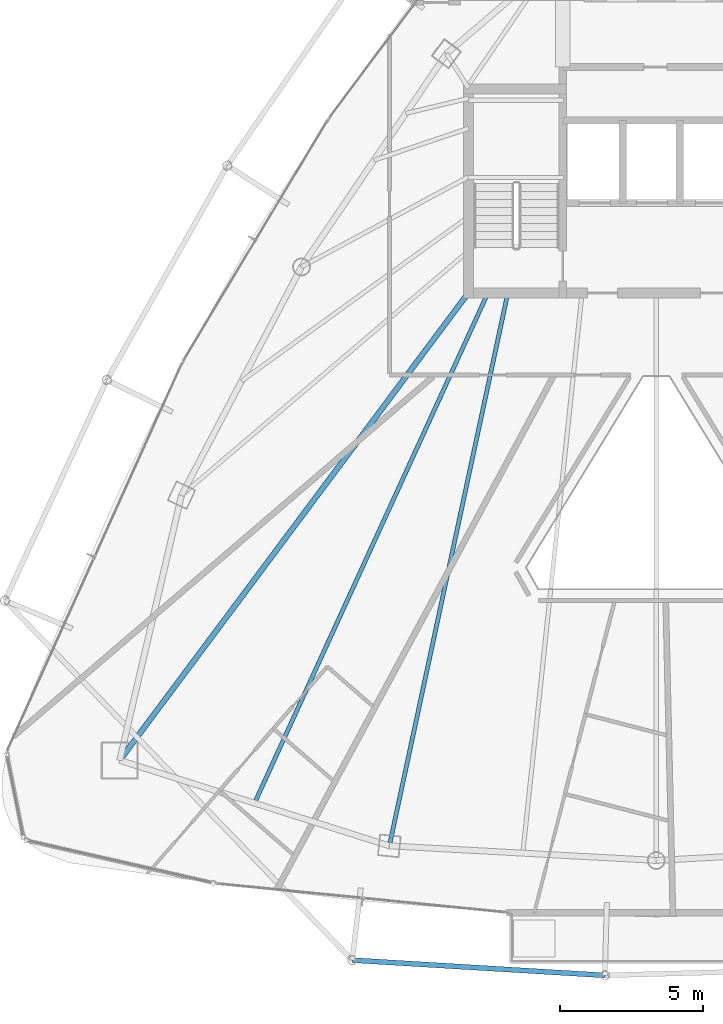
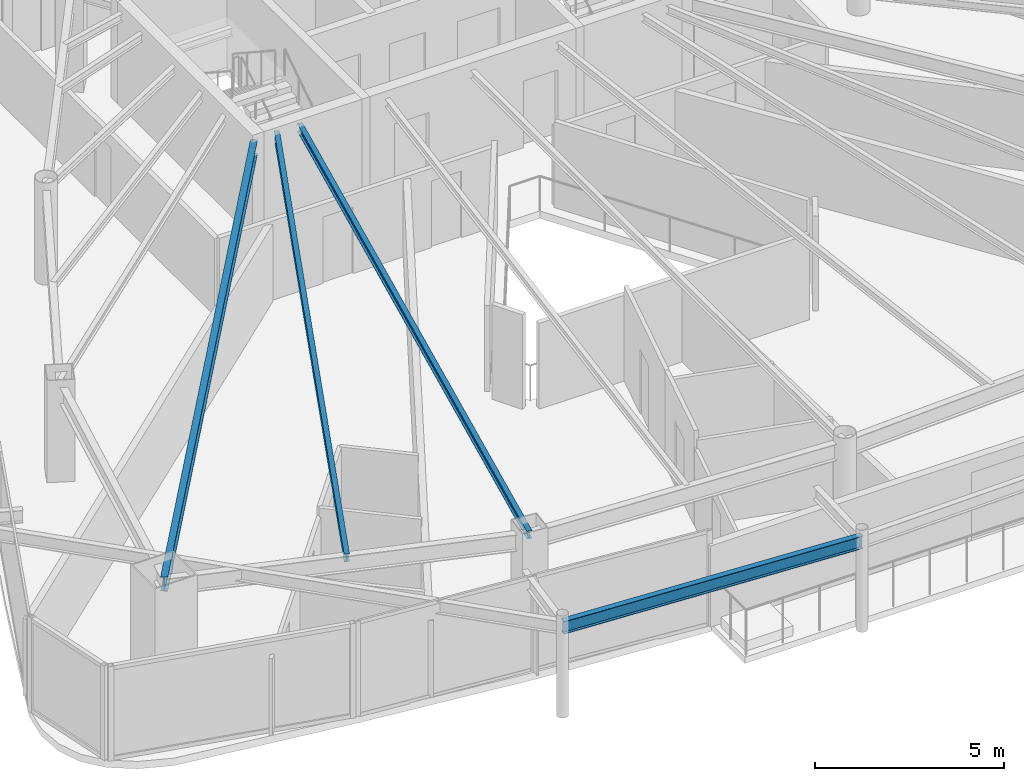
# One storey, part 6 of 30: 4 beams.
"""IFC4 building model written with IfcOpenShell, lengths in metres."""

from ifc_helpers import new_model, si_unit, direction, frame, origin, origin_2d, place, context, subcontext, project, spatial, i_section, extrude, material, material_profile, profile_set, type_object, element, save


model = new_model("IFC4")

# Units and contexts
model_context = context("Model", 3, precision=1e-05, world=origin(), true_north=direction((0.0, 1.0)))
body_context = subcontext(model_context, "Body", "Model", "MODEL_VIEW")
ifc_project = project(units=[si_unit("LENGTHUNIT", "METRE"), si_unit("AREAUNIT", "SQUARE_METRE"), si_unit("VOLUMEUNIT", "CUBIC_METRE"), si_unit("PLANEANGLEUNIT", "RADIAN"), si_unit("MASSUNIT", "GRAM", prefix="KILO")], contexts=[model_context])

# Site, building, storey
site_placement = place(None, origin())
site = spatial("IfcSite", under=ifc_project, at=site_placement, CompositionType="ELEMENT")
building_placement = place(site_placement, origin())
building = spatial("IfcBuilding", under=site, at=building_placement, Name="Orvanel Arch Residences", CompositionType="ELEMENT")
storey_placement = place(building_placement, frame((0.0, 0.0, 226.10009765625)))
storey = spatial("IfcBuildingStorey", under=building, at=storey_placement, Name="L64", CompositionType="ELEMENT", Elevation=226.10009765625)

# Beams
ifc_material = material(Name="Structural steel AS/NZS 3679.1 Grade 300 (300 MPa)", Category="steel")
ifc_material_profile_1 = material_profile(ifc_material, i_section(OverallWidth=0.19091796875, OverallDepth=0.4599609375, WebThickness=0.010009765625, FlangeThickness=0.01611328125, at=origin_2d()), Name="460UB82.1")
ifc_profile_set_1 = profile_set([ifc_material_profile_1], Name="Structural steel AS/NZS 3679.1 Grade 300 (300 MPa)")
beam_type_1 = type_object("IfcBeamType", Name="BG-460UB", PredefinedType="BEAM", material=ifc_profile_set_1)
beam_1_placement = place(storey_placement, frame((26.375, 26.675048828125, 2.829833984375), z_axis=(-0.597893733742, -0.801575375839, 0.0), x_axis=(0.801575375839, -0.597893733742, 0.0)))
element("IfcBeam", 1, at=beam_1_placement, inside=storey, type_object=beam_type_1, Name="L64 South-West Radial Girder", PredefinedType="BEAM", context=body_context, shape_type="SweptSolid", body=[
    extrude(i_section(OverallWidth=0.19091796875, OverallDepth=0.4599609375, WebThickness=0.010009765625, FlangeThickness=0.01611328125, at=origin_2d()), origin(), (0.0, 0.0, 1.0), 20.36474609375),
])
ifc_material_profile_2 = material_profile(ifc_material, i_section(OverallWidth=0.14599609375, OverallDepth=0.251953125, WebThickness=0.006103515625, FlangeThickness=0.008544921875, at=origin_2d()), Name="250UB31.4")
ifc_profile_set_2 = profile_set([ifc_material_profile_2], Name="Structural steel AS/NZS 3679.1 Grade 300 (300 MPa)")
beam_type_2 = type_object("IfcBeamType", Name="BJ-250UB", PredefinedType="JOIST", material=ifc_profile_set_2)
beam_2_placement = place(storey_placement, frame((27.800048828125, 26.72509765625, 2.933837890625), z_axis=(-0.209547604985, -0.977798446125, 0.0), x_axis=(0.977798446125, -0.209547604985, 0.0)))
element("IfcBeam", 2, at=beam_2_placement, inside=storey, type_object=beam_type_2, Name="L64 SW Wing Floor Joist", PredefinedType="JOIST", context=body_context, shape_type="SweptSolid", body=[
    extrude(i_section(OverallWidth=0.14599609375, OverallDepth=0.251953125, WebThickness=0.006103515625, FlangeThickness=0.008544921875, at=origin_2d()), origin(), (0.0, 0.0, 1.0), 19.809814453125),
])
beam_3_placement = place(storey_placement, frame((27.10009765625, 26.72509765625, 2.933837890625), z_axis=(-0.416009574066, -0.909360233508, 0.0), x_axis=(0.909360233508, -0.416009574066, 0.0)))
element("IfcBeam", 3, at=beam_3_placement, inside=storey, type_object=beam_type_2, Name="L64 JADD1 Wing Floor Joist", PredefinedType="JOIST", context=body_context, shape_type="SweptSolid", body=[
    extrude(i_section(OverallWidth=0.14599609375, OverallDepth=0.251953125, WebThickness=0.006103515625, FlangeThickness=0.008544921875, at=origin_2d()), origin(), (0.0, 0.0, 1.0), 19.653564453125),
])
ifc_material_profile_3 = material_profile(ifc_material, i_section(OverallWidth=0.177978515625, OverallDepth=0.406005859375, WebThickness=0.0078125, FlangeThickness=0.0126953125, at=origin_2d()), Name="410UB59.7")
ifc_profile_set_3 = profile_set([ifc_material_profile_3], Name="Structural steel AS/NZS 3679.1 Grade 300 (300 MPa)")
beam_type_3 = type_object("IfcBeamType", Name="OB-410UB-EXT", PredefinedType="SPANDREL", material=ifc_profile_set_3)
beam_4_placement = place(storey_placement, frame((22.346923828125, 3.35009765625, 2.85693359375), z_axis=(0.998190795138, -0.060126005201, 0.0), x_axis=(0.060126005201, 0.998190795138, 0.0)))
element("IfcBeam", 4, at=beam_4_placement, inside=storey, type_object=beam_type_3, Name="L64 Outer Perimeter Floor Ring Beam 05", PredefinedType="SPANDREL", context=body_context, shape_type="SweptSolid", body=[
    extrude(i_section(OverallWidth=0.177978515625, OverallDepth=0.406005859375, WebThickness=0.0078125, FlangeThickness=0.0126953125, at=origin_2d()), origin(), (0.0, 0.0, 1.0), 8.8681640625),
])

save(model, "model.ifc")
